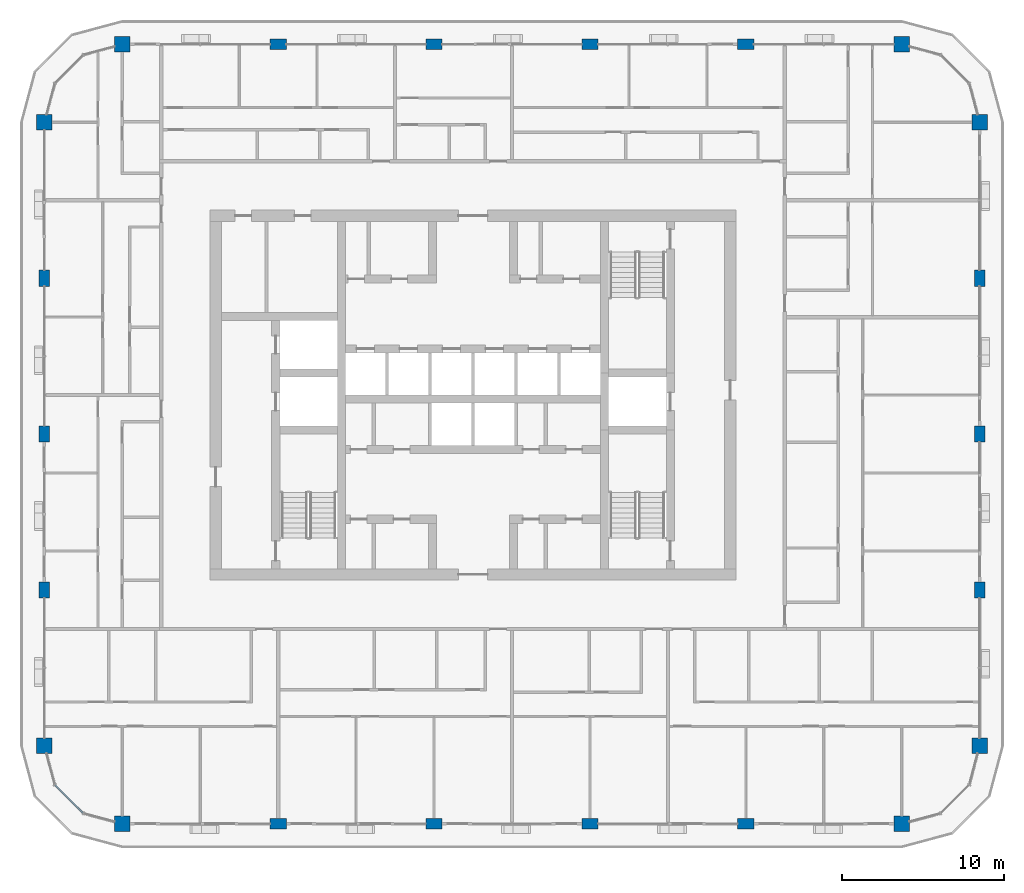
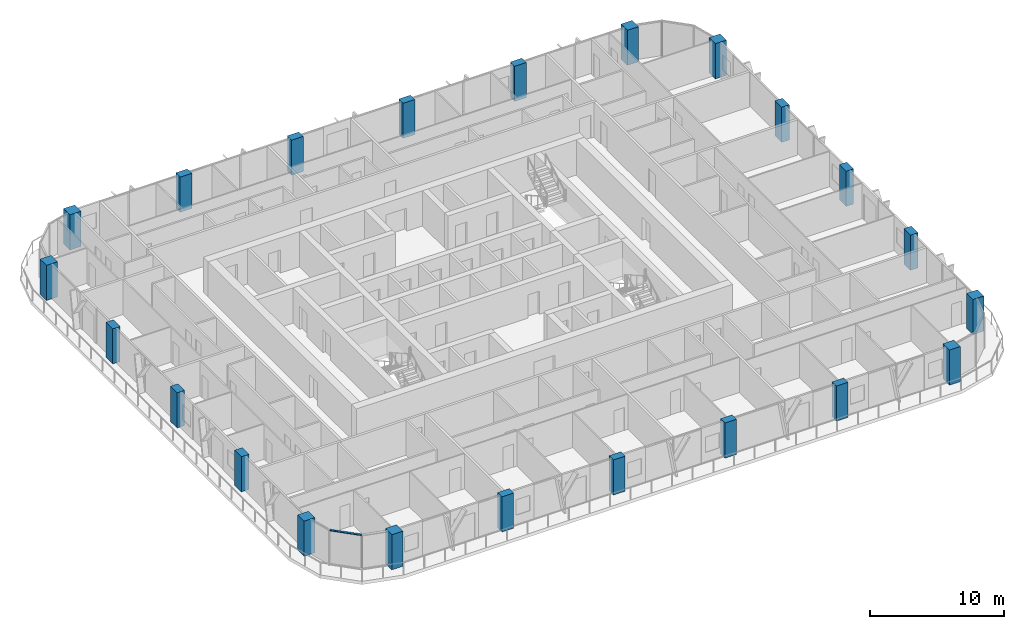
# One storey, part 1 of 22: 22 columns, 1 member, 1 element without a shape of its own.
"""IFC4 building model written with IfcOpenShell, lengths in metres."""

import ifcopenshell
import ifcopenshell.guid

model = None  # the IFC model being written
_history = None  # IfcOwnerHistory: only IFC2X3 demands one
_inside = {}  # id of a spatial element -> (the spatial element, [elements in it])
_under = {}  # id of a project, library or spatial element -> (it, [spatial elements below it])
_declared = {}  # id of a project -> (the project, [libraries it declares])
_typed = {}  # id of a type object -> (the type object, [elements of that type])
_made_of = {}  # id of a material, layer set ... -> (it, [elements and type objects made of it])


def new_model(schema):
    """Start an empty IFC model of exactly this schema.

    Asked for "IFC4X3", IfcOpenShell would pick the latest addendum, in which some entities
    have other attributes; the version numbers below select the first issue.
    IFC2X3 requires an IfcOwnerHistory on every rooted entity: one is made here for all.
    """
    global model, _history
    if schema == "IFC4X3":
        model = ifcopenshell.file(schema_version=(4, 3, 0, 0))
    else:
        model = ifcopenshell.file(schema=schema)
    _inside.clear()
    _under.clear()
    _declared.clear()
    _typed.clear()
    _made_of.clear()
    _history = None
    if model.schema == "IFC2X3":
        org = make("IfcOrganization", Name="unknown")
        user = make(
            "IfcPersonAndOrganization",
            ThePerson=make("IfcPerson", FamilyName="unknown"),
            TheOrganization=org,
        )
        app = make(
            "IfcApplication",
            ApplicationDeveloper=org,
            Version="unknown",
            ApplicationFullName="unknown",
            ApplicationIdentifier="unknown",
        )
        _history = make(
            "IfcOwnerHistory",
            OwningUser=user,
            OwningApplication=app,
            ChangeAction="ADDED",
            CreationDate=0,
        )
    return model


def make(cls, **values):
    """One entity of the class cls with the attributes given. An attribute that is None is left unset."""
    return model.create_entity(
        cls, **{name: value for name, value in values.items() if value is not None}
    )


def rooted(cls, **values):
    """An entity with a GlobalId (a new one), such as an element, a storey or a relation."""
    return make(cls, GlobalId=ifcopenshell.guid.new(), OwnerHistory=_history, **values)


def si_unit(unit_type, name, prefix=None):
    """IfcSIUnit, for example si_unit("LENGTHUNIT", "METRE", prefix="MILLI")."""
    return make("IfcSIUnit", UnitType=unit_type, Prefix=prefix, Name=name)


def assignment(units):
    """IfcUnitAssignment: the units of a project."""
    return None if units is None else make("IfcUnitAssignment", Units=units)


def point(xyz):
    """IfcCartesianPoint."""
    return None if xyz is None else make("IfcCartesianPoint", Coordinates=xyz)


def direction(xyz):
    """IfcDirection."""
    return None if xyz is None else make("IfcDirection", DirectionRatios=xyz)


def frame(location, z_axis=None, x_axis=None):
    """IfcAxis2Placement3D, a coordinate frame: its origin and axes. An axis left out is left unset."""
    return make(
        "IfcAxis2Placement3D",
        Location=point(location),
        Axis=direction(z_axis),
        RefDirection=direction(x_axis),
    )


def frame_2d(location, x_axis=None):
    """IfcAxis2Placement2D, a coordinate frame in the plane: its origin and x axis."""
    return make(
        "IfcAxis2Placement2D", Location=point(location), RefDirection=direction(x_axis)
    )


def origin():
    """The frame at (0, 0, 0) with its axes left unset."""
    return frame((0.0, 0.0, 0.0))


def origin_2d():
    """The frame at (0, 0) in the plane with its x axis left unset."""
    return frame_2d((0.0, 0.0))


def place(relative_to, where):
    """IfcLocalPlacement: puts the frame where relative to a parent placement (None: the world)."""
    return make(
        "IfcLocalPlacement", PlacementRelTo=relative_to, RelativePlacement=where
    )


def context(
    kind, dimensions, precision=None, world=None, true_north=None, identifier=None
):
    """IfcGeometricRepresentationContext, for example the 3D "Model" context."""
    return make(
        "IfcGeometricRepresentationContext",
        ContextIdentifier=identifier,
        ContextType=kind,
        CoordinateSpaceDimension=dimensions,
        Precision=precision,
        WorldCoordinateSystem=world,
        TrueNorth=true_north,
    )


def subcontext(parent, identifier, kind, view, scale=None):
    """IfcGeometricRepresentationSubContext, for example "Body" below "Model"."""
    return make(
        "IfcGeometricRepresentationSubContext",
        ContextIdentifier=identifier,
        ContextType=kind,
        ParentContext=parent,
        TargetScale=scale,
        TargetView=view,
    )


def project(units=None, contexts=None):
    """IfcProject with its units and contexts."""
    return rooted(
        "IfcProject",
        Name="project",
        RepresentationContexts=contexts,
        UnitsInContext=assignment(units),
    )


def spatial(cls, under=None, at=None, **own):
    """A site, building, storey or space (cls), placed at a placement, below another one or the project."""
    s = rooted(cls, ObjectPlacement=at, **own)
    if under is not None:
        _under.setdefault(under.id(), (under, []))[1].append(s)
    return s


def profile(cls, at=None, kind="AREA", **sizes):
    """A parametric profile (cls). Its sizes go by their IFC names, for example OverallWidth=200.0."""
    return make(cls, ProfileType=kind, Position=at, **sizes)


def rectangle(**sizes):
    """IfcRectangleProfileDef."""
    return profile("IfcRectangleProfileDef", **sizes)


def extrude(swept, where, along, depth):
    """IfcExtrudedAreaSolid: the profile swept, set in the frame where, extruded along a direction by depth."""
    return make(
        "IfcExtrudedAreaSolid",
        SweptArea=swept,
        Position=where,
        ExtrudedDirection=direction(along),
        Depth=depth,
    )


def shape(context_of_items, identifier, shape_type, items):
    """IfcShapeRepresentation: the items that make up one representation, for example the "Body"."""
    return make(
        "IfcShapeRepresentation",
        ContextOfItems=context_of_items,
        RepresentationIdentifier=identifier,
        RepresentationType=shape_type,
        Items=items,
    )


def material(Name=None, Category=None):
    """IfcMaterial."""
    return make("IfcMaterial", Name=Name, Category=Category)


def layer(
    of_material, thickness, ventilated=None, Name=None, Category=None, Priority=None
):
    """IfcMaterialLayer: one layer of a wall or slab, of a material (None: an air gap)."""
    return make(
        "IfcMaterialLayer",
        Material=of_material,
        LayerThickness=thickness,
        IsVentilated=ventilated,
        Name=Name,
        Category=Category,
        Priority=Priority,
    )


def layer_set(layers, Name=None):
    """IfcMaterialLayerSet."""
    return make("IfcMaterialLayerSet", MaterialLayers=layers, LayerSetName=Name)


def material_profile(
    of_material, cross_section, Name=None, Category=None, Priority=None
):
    """IfcMaterialProfile: a cross section and its material."""
    return make(
        "IfcMaterialProfile",
        Name=Name,
        Material=of_material,
        Profile=cross_section,
        Priority=Priority,
        Category=Category,
    )


def profile_set(profiles, Name=None, composite=None):
    """IfcMaterialProfileSet."""
    return make(
        "IfcMaterialProfileSet",
        Name=Name,
        MaterialProfiles=profiles,
        CompositeProfile=composite,
    )


def made_of(thing, what):
    """Note that an element or type object is made of a material, layer set ...; save() writes the relation."""
    if what is not None:
        _made_of.setdefault(what.id(), (what, []))[1].append(thing)
    return thing


def type_object(cls, material=None, **own):
    """A type object (cls), such as IfcWallType, which elements share."""
    return made_of(rooted(cls, **own), material)


def element(
    cls,
    number,
    at=None,
    inside=None,
    cuts=None,
    type_object=None,
    material=None,
    context=None,
    identifier="Body",
    shape_type=None,
    held_by="IfcProductDefinitionShape",
    body=None,
    shapes=None,
    **own,
):
    """One element of the class cls, such as IfcWall. Its Tag is "e" and its number.

    at: its placement. inside: the storey or other place that contains it. cuts: it is an
    opening in that element (IfcRelVoidsElement). A single representation is given by context,
    identifier, shape_type and body (its items); several are given by shapes. held_by: the class
    of the entity that holds the representations. save() writes the other relations.
    """
    e = rooted(cls, Tag="e%d" % number, ObjectPlacement=at, **own)
    if body is not None:
        shapes = [shape(context, identifier, shape_type, body)]
    if shapes is not None:
        e.Representation = make(held_by, Representations=shapes)
    if inside is not None:
        _inside.setdefault(inside.id(), (inside, []))[1].append(e)
    if cuts is not None:
        rooted(
            "IfcRelVoidsElement", RelatingBuildingElement=cuts, RelatedOpeningElement=e
        )
    if type_object is not None:
        _typed.setdefault(type_object.id(), (type_object, []))[1].append(e)
    return made_of(e, material)


def aggregate(whole, parts):
    """IfcRelAggregates: a whole, such as a stair, and the parts it consists of."""
    return rooted("IfcRelAggregates", RelatingObject=whole, RelatedObjects=parts)


def save(model, path):
    """Write the relations noted so far, then the file.

    IfcRelAggregates (storeys below a building ...), IfcRelContainedInSpatialStructure (elements
    in a storey), IfcRelDefinesByType, IfcRelAssociatesMaterial and IfcRelDeclares: one each for
    every whole, place, type object, material and project.
    """
    for whole, parts in _under.values():
        aggregate(whole, parts)
    for where, things in _inside.values():
        rooted(
            "IfcRelContainedInSpatialStructure",
            RelatedElements=things,
            RelatingStructure=where,
        )
    for kind, things in _typed.values():
        rooted("IfcRelDefinesByType", RelatedObjects=things, RelatingType=kind)
    for what, things in _made_of.values():
        rooted("IfcRelAssociatesMaterial", RelatedObjects=things, RelatingMaterial=what)
    for by, libraries in _declared.values():
        rooted("IfcRelDeclares", RelatingContext=by, RelatedDefinitions=libraries)
    model.write(path)


model = new_model("IFC4")

# Units and contexts
model_context = context("Model", 3, precision=1e-05, world=origin(), true_north=direction((0.0, 1.0)))
body_context = subcontext(model_context, "Body", "Model", "MODEL_VIEW")
ifc_project = project(units=[si_unit("LENGTHUNIT", "METRE"), si_unit("AREAUNIT", "SQUARE_METRE"), si_unit("VOLUMEUNIT", "CUBIC_METRE"), si_unit("PLANEANGLEUNIT", "RADIAN"), si_unit("MASSUNIT", "GRAM", prefix="KILO")], contexts=[model_context])

# Site, building, storey
site_placement = place(None, origin())
site = spatial("IfcSite", under=ifc_project, at=site_placement, CompositionType="ELEMENT")
building_placement = place(site_placement, origin())
building = spatial("IfcBuilding", under=site, at=building_placement, Name="Madar Terraces", CompositionType="ELEMENT")
storey_placement = place(building_placement, frame((0.0, 0.0, 178.89990234375)))
storey = spatial("IfcBuildingStorey", under=building, at=storey_placement, Name="L46", CompositionType="ELEMENT", Elevation=178.89990234375)

# Columns
ifc_material_1 = material(Name="Concrete C60/75", Category="concrete")
ifc_material_profile_1 = material_profile(ifc_material_1, rectangle(XDim=1.0, YDim=0.64990234375, at=origin_2d()), Name="CC4 RC 1000x650")
ifc_profile_set_1 = profile_set([ifc_material_profile_1], Name="Concrete C60/75")
column_type_1 = type_object("IfcColumnType", Name="CC4 RC 1000x650", PredefinedType="COLUMN", material=ifc_profile_set_1)
for number, where, z_axis, x_axis, name in (
    (1, (19.199951171875, 0.0, 0.0), (0.0, 0.0, 1.0), (1.0, 0.0, 0.0), "Perimeter column S2"),
    (2, (28.800048828125, 0.0, 0.0), (0.0, 0.0, 1.0), (1.0, 0.0, 0.0), "Perimeter column S3"),
    (3, (38.39990234375, 0.0, 0.0), (0.0, 0.0, 1.0), (1.0, 0.0, 0.0), "Perimeter column S4"),
    (4, (48.0, 0.0, 0.0), (0.0, 0.0, 1.0), (1.0, 0.0, 0.0), "Perimeter column S5"),
    (5, (62.39990234375, 14.39990234375, 0.0), (0.0, 0.0, 1.0), (0.0, 1.0, 0.0), "Perimeter column E2"),
    (6, (62.39990234375, 24.0, 0.0), (0.0, 0.0, 1.0), (0.0, 1.0, 0.0), "Perimeter column E3"),
    (7, (62.39990234375, 33.60009765625, 0.0), (0.0, 0.0, 1.0), (0.0, 1.0, 0.0), "Perimeter column E4"),
    (8, (48.0, 48.0, 0.0), (0.0, 0.0, 1.0), (1.0, 0.0, 0.0), "Perimeter column N2"),
    (9, (38.39990234375, 48.0, 0.0), (0.0, 0.0, 1.0), (1.0, 0.0, 0.0), "Perimeter column N3"),
    (10, (28.800048828125, 48.0, 0.0), (0.0, 0.0, 1.0), (1.0, 0.0, 0.0), "Perimeter column N4"),
    (11, (19.199951171875, 48.0, 0.0), (0.0, 0.0, 1.0), (1.0, 0.0, 0.0), "Perimeter column N5"),
    (12, (4.800048828125, 33.60009765625, 0.0), (0.0, 0.0, 1.0), (0.0, 1.0, 0.0), "Perimeter column W2"),
    (13, (4.800048828125, 24.0, 0.0), (0.0, 0.0, 1.0), (0.0, 1.0, 0.0), "Perimeter column W3"),
    (14, (4.800048828125, 14.39990234375, 0.0), (0.0, 0.0, 1.0), (0.0, 1.0, 0.0), "Perimeter column W4"),
):
    element("IfcColumn", number, at=place(storey_placement, frame(where, z_axis=z_axis, x_axis=x_axis)), inside=storey, type_object=column_type_1, Name=name, PredefinedType="COLUMN", context=body_context, shape_type="SweptSolid", body=[
        extrude(rectangle(XDim=1.0, YDim=0.64990234375, at=origin_2d()), origin(), (0.0, 0.0, 1.0), 3.2001953125),
    ])
ifc_material_2 = material(Name="Concrete C60/75", Category="concrete")
ifc_material_profile_2 = material_profile(ifc_material_2, rectangle(XDim=0.949951171875, YDim=0.949951171875, at=origin_2d()), Name="KC4 RC 950x950")
ifc_profile_set_2 = profile_set([ifc_material_profile_2], Name="Concrete C60/75")
column_type_2 = type_object("IfcColumnType", Name="KC4 RC 950x950", PredefinedType="COLUMN", material=ifc_profile_set_2)
for number, where, z_axis, x_axis, name in (
    (15, (9.60009765625, 0.0, 0.0), (0.0, 0.0, 1.0), (1.0, 0.0, 0.0), "Perimeter column S1"),
    (16, (57.60009765625, 0.0, 0.0), (0.0, 0.0, 1.0), (1.0, 0.0, 0.0), "Perimeter column S6"),
    (17, (62.39990234375, 4.800048828125, 0.0), (0.0, 0.0, 1.0), (1.0, 0.0, 0.0), "Perimeter column E1"),
    (18, (62.39990234375, 43.199951171875, 0.0), (0.0, 0.0, 1.0), (1.0, 0.0, 0.0), "Perimeter column E5"),
    (19, (57.60009765625, 48.0, 0.0), (0.0, 0.0, 1.0), (1.0, 0.0, 0.0), "Perimeter column N1"),
    (20, (9.60009765625, 48.0, 0.0), (0.0, 0.0, 1.0), (1.0, 0.0, 0.0), "Perimeter column N6"),
    (21, (4.800048828125, 43.199951171875, 0.0), (0.0, 0.0, 1.0), (1.0, 0.0, 0.0), "Perimeter column W1"),
    (22, (4.800048828125, 4.800048828125, 0.0), (0.0, 0.0, 1.0), (1.0, 0.0, 0.0), "Perimeter column W5"),
):
    element("IfcColumn", number, at=place(storey_placement, frame(where, z_axis=z_axis, x_axis=x_axis)), inside=storey, type_object=column_type_2, Name=name, PredefinedType="COLUMN", context=body_context, shape_type="SweptSolid", body=[
        extrude(rectangle(XDim=0.949951171875, YDim=0.949951171875, at=origin_2d()), origin(), (0.0, 0.0, 1.0), 3.2001953125),
    ])

# Curtain wall, member
ifc_material_3 = material(Name="Glass, ceramic frit dark grey, with black aluminium frame", Category="aluminium")
ifc_layer = layer(ifc_material_3, 0.199951171875)
ifc_layer_set = layer_set([ifc_layer], Name="Facade curtain wall, fritted glass")
curtain_wall_type = type_object("IfcCurtainWallType", Name="Facade curtain wall, fritted glass", PredefinedType="NOTDEFINED", material=ifc_layer_set)
curtain_wall_placement = place(storey_placement, origin())
curtain_wall = element("IfcCurtainWall", 23, at=curtain_wall_placement, inside=storey, type_object=curtain_wall_type, Name="Outer skin curtain wall south-west corner", PredefinedType="NOTDEFINED")
ifc_material_4 = material(Name="Aluminium, black anodised", Category="aluminium")
ifc_material_profile_3 = material_profile(ifc_material_4, rectangle(XDim=0.1201171875, YDim=0.06005859375, at=origin_2d()), Name="Facade transom 60x120")
ifc_profile_set_3 = profile_set([ifc_material_profile_3], Name="Aluminium, black anodised")
member_type = type_object("IfcMemberType", Name="Facade transom 60x120", PredefinedType="USERDEFINED", material=ifc_profile_set_3)
member_placement = place(storey_placement, frame((5.46435546875, 2.37890625, 3.170166015625), z_axis=(0.707056433593, -0.707157125196, 0.0), x_axis=(0.707157125196, 0.707056433593, 0.0)))
member = element("IfcMember", 24, at=member_placement, type_object=member_type, Name="Transom 2", ObjectType="TRANSOM", PredefinedType="USERDEFINED", context=body_context, shape_type="SweptSolid", body=[
    extrude(rectangle(XDim=0.1201171875, YDim=0.06005859375, at=origin_2d()), origin(), (0.0, 0.0, 1.0), 2.424560546875),
])
aggregate(curtain_wall, [member])

save(model, "model.ifc")
